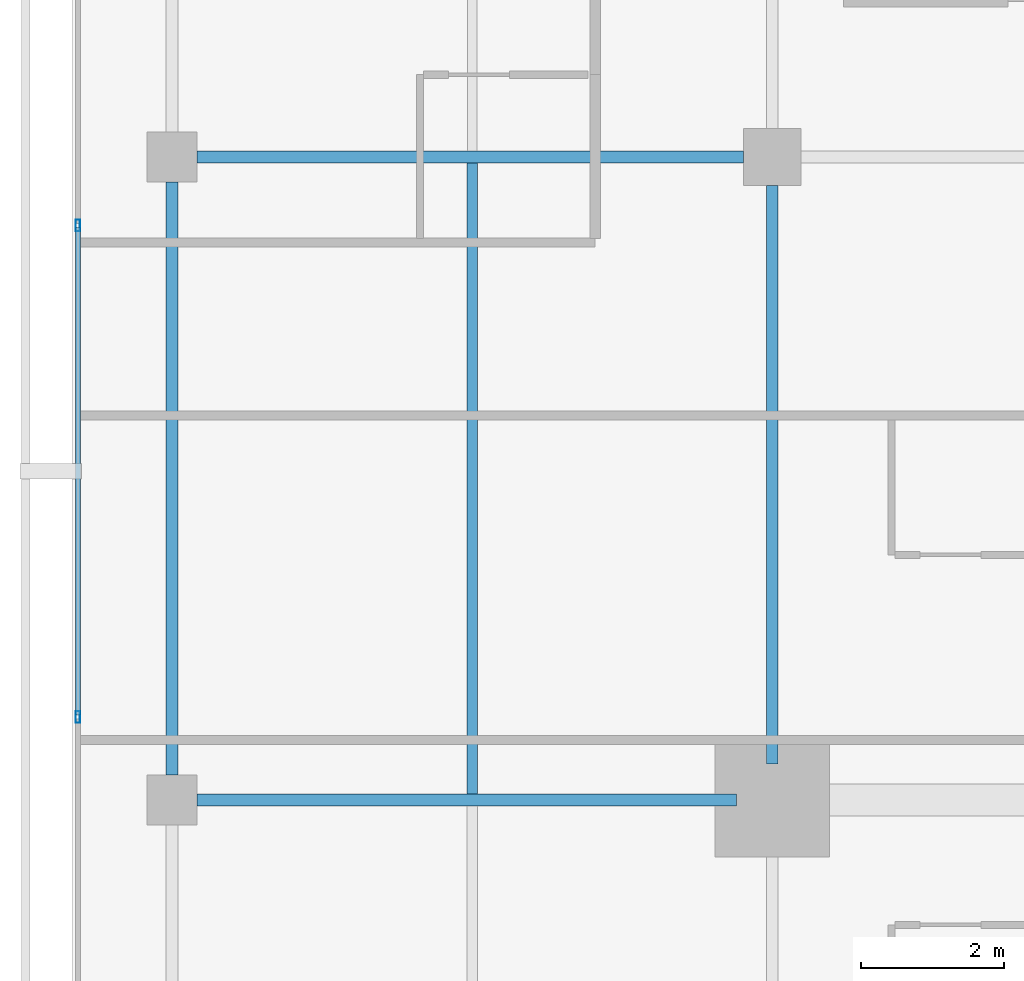
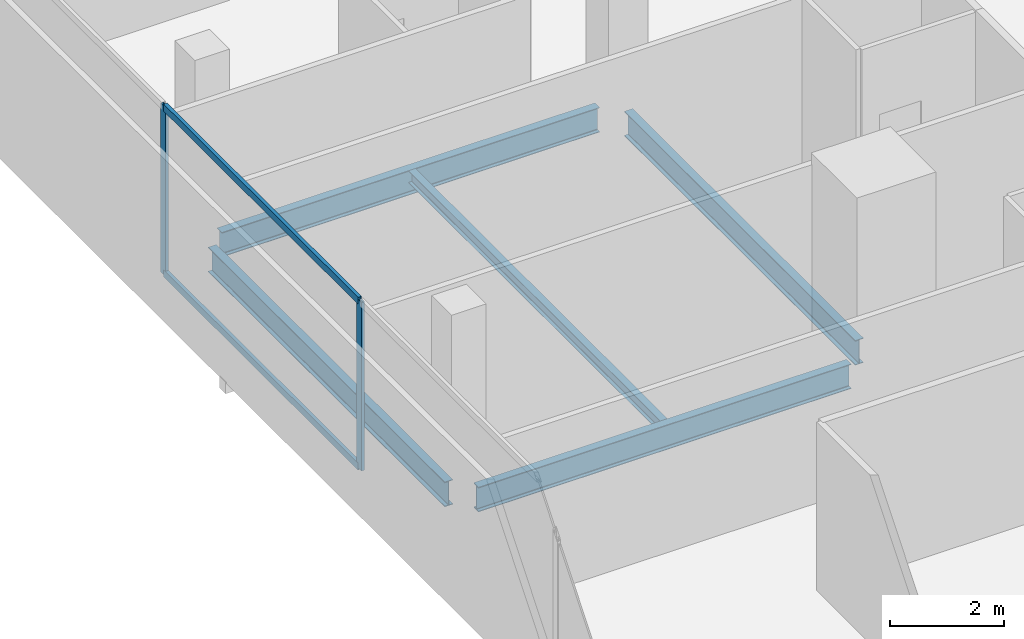
# One storey, part 8 of 25: 5 beams, 4 members, 1 element without a shape of its own.
"""IFC4 building model written with IfcOpenShell, lengths in metres."""

from ifc_helpers import new_model, si_unit, direction, frame, origin, origin_2d, place, context, subcontext, project, spatial, hollow_rectangle, i_section, extrude, material, layer, layer_set, material_profile, profile_set, type_object, element, aggregate, save


model = new_model("IFC4")

# Units and contexts
model_context = context("Model", 3, precision=1e-05, world=origin(), true_north=direction((0.0, 1.0)))
body_context = subcontext(model_context, "Body", "Model", "MODEL_VIEW")
ifc_project = project(units=[si_unit("LENGTHUNIT", "METRE"), si_unit("AREAUNIT", "SQUARE_METRE"), si_unit("VOLUMEUNIT", "CUBIC_METRE"), si_unit("PLANEANGLEUNIT", "RADIAN"), si_unit("MASSUNIT", "GRAM", prefix="KILO")], contexts=[model_context])

# Site, building, storey
site_placement = place(None, origin())
site = spatial("IfcSite", under=ifc_project, at=site_placement, CompositionType="ELEMENT")
building_placement = place(site_placement, origin())
building = spatial("IfcBuilding", under=site, at=building_placement, Name="Maruvema Waterfront Hotel and Observation Tower", CompositionType="ELEMENT")
storey_placement = place(building_placement, frame((0.0, 0.0, 304.85009765625)))
storey = spatial("IfcBuildingStorey", under=building, at=storey_placement, Name="L75", CompositionType="ELEMENT", Elevation=304.85009765625)

# Curtain wall, members
ifc_material_1 = material(Name="Anodised bronze aluminium and solar-control low-E IGU", Category="aluminium")
ifc_layer = layer(ifc_material_1, 0.159912109375, Name="Zone 3 Champagne Inner Thermal Curtain Wall System CW-04")
ifc_layer_set = layer_set([ifc_layer], Name="Anodised bronze aluminium and solar-control low-E IGU")
curtain_wall_type = type_object("IfcCurtainWallType", Name="Zone 3 Champagne Inner Thermal Curtain Wall System CW-04", PredefinedType="USERDEFINED", material=ifc_layer_set)
curtain_wall_placement = place(storey_placement, origin())
curtain_wall = element("IfcCurtainWall", 1, at=curtain_wall_placement, inside=storey, type_object=curtain_wall_type, Name="L75 Curtain Wall CW-L75-W", ObjectType="UNITISED CURTAIN WALL", PredefinedType="USERDEFINED")
ifc_material_2 = material(Name="Anodised architectural bronze aluminium", Category="aluminium")
ifc_material_profile_1 = material_profile(ifc_material_2, hollow_rectangle(XDim=0.070068359375, YDim=0.14990234375, WallThickness=0.00390625, at=origin_2d()), Name="ALU-T70x150")
ifc_profile_set_1 = profile_set([ifc_material_profile_1], Name="Anodised architectural bronze aluminium")
member_type_1 = type_object("IfcMemberType", Name="Curtain Wall Horizontal Transom ALU-T70x150", PredefinedType="USERDEFINED", material=ifc_profile_set_1)
member_1_placement = place(storey_placement, frame((15.47998046875, 35.010009765625, 0.02978515625), z_axis=(0.0, -1.0, 0.0), x_axis=(1.0, 0.0, 0.0)))
member_1 = element("IfcMember", 2, at=member_1_placement, type_object=member_type_1, Name="CW-04 transom 3.1", ObjectType="TRANSOM", PredefinedType="USERDEFINED", context=body_context, shape_type="SweptSolid", body=[
    extrude(hollow_rectangle(XDim=0.070068359375, YDim=0.14990234375, WallThickness=0.00390625, at=origin_2d()), origin(), (0.0, 0.0, 1.0), 6.820068359375),
])
member_2_placement = place(storey_placement, frame((15.47998046875, 35.010009765625, 3.579833984375), z_axis=(0.0, -1.0, 0.0), x_axis=(1.0, 0.0, 0.0)))
member_2 = element("IfcMember", 3, at=member_2_placement, type_object=member_type_1, Name="CW-04 transom 3.2", ObjectType="TRANSOM", PredefinedType="USERDEFINED", context=body_context, shape_type="SweptSolid", body=[
    extrude(hollow_rectangle(XDim=0.070068359375, YDim=0.14990234375, WallThickness=0.00390625, at=origin_2d()), origin(), (0.0, 0.0, 1.0), 6.820068359375),
])
ifc_material_3 = material(Name="Anodised architectural bronze aluminium", Category="aluminium")
ifc_material_profile_2 = material_profile(ifc_material_3, hollow_rectangle(XDim=0.06494140625, YDim=0.1650390625, WallThickness=0.00390625, at=origin_2d()), Name="ALU-M65x165")
ifc_profile_set_2 = profile_set([ifc_material_profile_2], Name="Anodised architectural bronze aluminium")
member_type_2 = type_object("IfcMemberType", Name="Curtain Wall Primary Mullion ALU-M65x165", PredefinedType="MULLION", material=ifc_profile_set_2)
member_3_placement = place(storey_placement, frame((15.47998046875, 35.0400390625, 0.0), z_axis=(0.0, 0.0, 1.0), x_axis=(1.0, 0.0, 0.0)))
member_3 = element("IfcMember", 4, at=member_3_placement, type_object=member_type_2, Name="CW-04 mullion 3", PredefinedType="MULLION", context=body_context, shape_type="SweptSolid", body=[
    extrude(hollow_rectangle(XDim=0.06494140625, YDim=0.1650390625, WallThickness=0.00390625, at=origin_2d()), origin(), (0.0, 0.0, 1.0), 3.60986328125),
])
member_4_placement = place(storey_placement, frame((15.47998046875, 28.159912109375, 0.0), z_axis=(0.0, 0.0, 1.0), x_axis=(1.0, 0.0, 0.0)))
member_4 = element("IfcMember", 5, at=member_4_placement, type_object=member_type_2, Name="CW-04 mullion 4", PredefinedType="MULLION", context=body_context, shape_type="SweptSolid", body=[
    extrude(hollow_rectangle(XDim=0.06494140625, YDim=0.1650390625, WallThickness=0.00390625, at=origin_2d()), origin(), (0.0, 0.0, 1.0), 3.60986328125),
])
aggregate(curtain_wall, [member_3, member_4, member_1, member_2])

# Beams
ifc_material_4 = material(Name="Steel ASTM A572 Grade 50", Category="steel")
ifc_material_profile_3 = material_profile(ifc_material_4, i_section(OverallWidth=0.166015625, OverallDepth=0.529052734375, WebThickness=0.009765625, FlangeThickness=0.013671875, FilletRadius=0.014892578125, at=origin_2d()), Name="W530x74.0")
ifc_profile_set_3 = profile_set([ifc_material_profile_3], Name="Steel ASTM A572 Grade 50")
beam_type_1 = type_object("IfcBeamType", Name="Primary Floor Girder W530x74.0", PredefinedType="BEAM", material=ifc_profile_set_3)
beam_1_placement = place(storey_placement, frame((17.14990234375, 27.0, -0.504638671875), z_axis=(1.0, 0.0, 0.0), x_axis=(0.0, 1.0, 0.0)))
element("IfcBeam", 6, at=beam_1_placement, inside=storey, type_object=beam_type_1, Name="L75 Floor Girder EW-09", PredefinedType="BEAM", context=body_context, shape_type="SweptSolid", body=[
    extrude(i_section(OverallWidth=0.166015625, OverallDepth=0.529052734375, WebThickness=0.009765625, FlangeThickness=0.013671875, FilletRadius=0.014892578125, at=origin_2d()), origin(), (0.0, 0.0, 1.0), 7.550048828125),
])
beam_2_placement = place(storey_placement, frame((17.14990234375, 36.0, -0.504638671875), z_axis=(1.0, 0.0, 0.0), x_axis=(0.0, 1.0, 0.0)))
element("IfcBeam", 7, at=beam_2_placement, inside=storey, type_object=beam_type_1, Name="L75 Floor Girder EW-12", PredefinedType="BEAM", context=body_context, shape_type="SweptSolid", body=[
    extrude(i_section(OverallWidth=0.166015625, OverallDepth=0.529052734375, WebThickness=0.009765625, FlangeThickness=0.013671875, FilletRadius=0.014892578125, at=origin_2d()), origin(), (0.0, 0.0, 1.0), 7.650146484375),
])
beam_3_placement = place(storey_placement, frame((16.800048828125, 27.35009765625, -0.504638671875), z_axis=(0.0, 1.0, 0.0), x_axis=(-1.0, 0.0, 0.0)))
element("IfcBeam", 8, at=beam_3_placement, inside=storey, type_object=beam_type_1, Name="L75 Floor Girder NS-02", PredefinedType="BEAM", context=body_context, shape_type="SweptSolid", body=[
    extrude(i_section(OverallWidth=0.166015625, OverallDepth=0.529052734375, WebThickness=0.009765625, FlangeThickness=0.013671875, FilletRadius=0.014892578125, at=origin_2d()), origin(), (0.0, 0.0, 1.0), 8.2998046875),
])
beam_4_placement = place(storey_placement, frame((25.199951171875, 27.5, -0.504638671875), z_axis=(0.0, 1.0, 0.0), x_axis=(-1.0, 0.0, 0.0)))
element("IfcBeam", 9, at=beam_4_placement, inside=storey, type_object=beam_type_1, Name="L75 Floor Girder NS-06", PredefinedType="BEAM", context=body_context, shape_type="SweptSolid", body=[
    extrude(i_section(OverallWidth=0.166015625, OverallDepth=0.529052734375, WebThickness=0.009765625, FlangeThickness=0.013671875, FilletRadius=0.014892578125, at=origin_2d()), origin(), (0.0, 0.0, 1.0), 8.10009765625),
])
ifc_material_5 = material(Name="Steel ASTM A572 Grade 50", Category="steel")
ifc_material_profile_4 = material_profile(ifc_material_5, i_section(OverallWidth=0.14599609375, OverallDepth=0.258056640625, WebThickness=0.006103515625, FlangeThickness=0.009033203125, FilletRadius=0.012939453125, at=origin_2d()), Name="W250x32.7")
ifc_profile_set_4 = profile_set([ifc_material_profile_4], Name="Steel ASTM A572 Grade 50")
beam_type_2 = type_object("IfcBeamType", Name="Secondary Floor Joist W250x32.7", PredefinedType="JOIST", material=ifc_profile_set_4)
beam_5_placement = place(storey_placement, frame((21.0, 27.0830078125, -0.369140625), z_axis=(0.0, 1.0, 0.0), x_axis=(-1.0, 0.0, 0.0)))
element("IfcBeam", 10, at=beam_5_placement, inside=storey, type_object=beam_type_2, Name="L75 Secondary Floor Joist JS-02", PredefinedType="JOIST", context=body_context, shape_type="SweptSolid", body=[
    extrude(i_section(OverallWidth=0.14599609375, OverallDepth=0.258056640625, WebThickness=0.006103515625, FlangeThickness=0.009033203125, FilletRadius=0.012939453125, at=origin_2d()), origin(), (0.0, 0.0, 1.0), 8.833984375),
])

save(model, "model.ifc")
